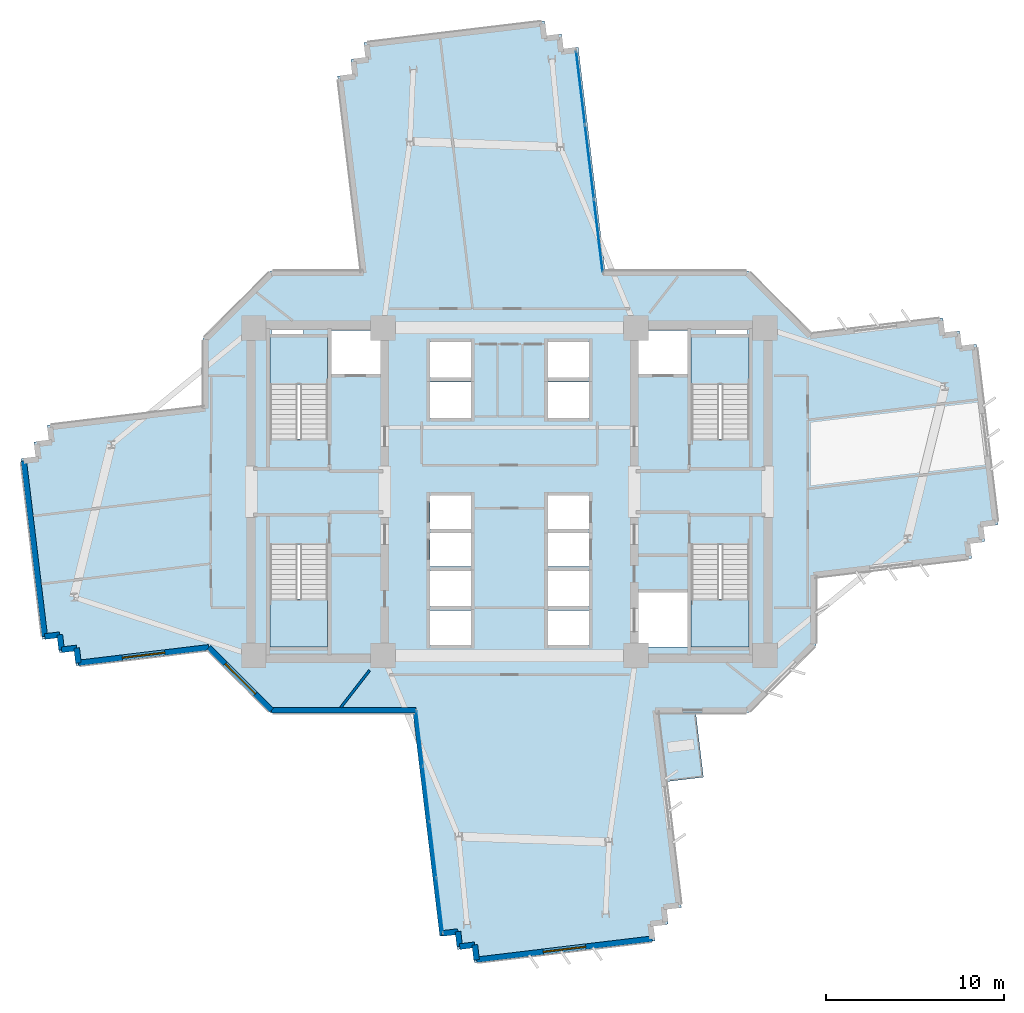
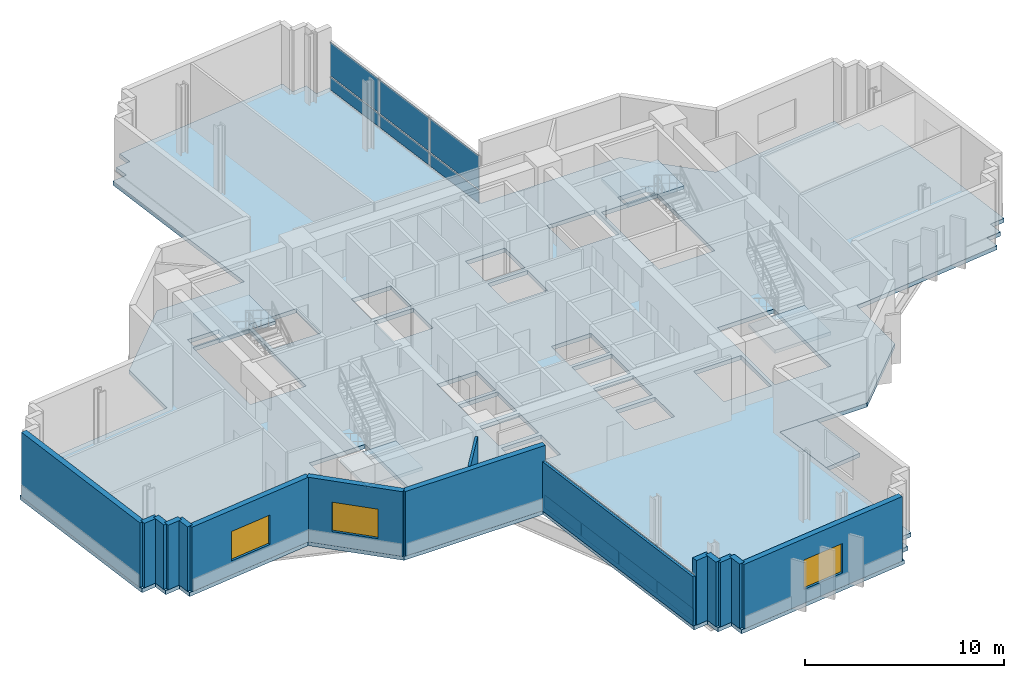
# One storey, part 5 of 15: 15 walls, 14 plates, 6 slabs, 3 windows, 3 openings, 6 elements without a shape of their own.
"""IFC4 building model written with IfcOpenShell, lengths in metres."""

from ifc_helpers import new_model, si_unit, direction, frame, frame_2d, origin, origin_2d, place, context, subcontext, project, spatial, polyline, rectangle, outline, extrude, source, transform, mapped, material, layer, layer_set, type_object, element, fill, aggregate, save


model = new_model("IFC4")

# Units and contexts
model_context = context("Model", 3, precision=1e-05, world=origin(), true_north=direction((0.0, 1.0)))
body_context = subcontext(model_context, "Body", "Model", "MODEL_VIEW")
ifc_project = project(units=[si_unit("LENGTHUNIT", "METRE"), si_unit("AREAUNIT", "SQUARE_METRE"), si_unit("VOLUMEUNIT", "CUBIC_METRE"), si_unit("PLANEANGLEUNIT", "RADIAN"), si_unit("MASSUNIT", "GRAM", prefix="KILO")], contexts=[model_context])

# Site, building, storey
site_placement = place(None, origin())
site = spatial("IfcSite", under=ifc_project, at=site_placement, CompositionType="ELEMENT")
building_placement = place(site_placement, origin())
building = spatial("IfcBuilding", under=site, at=building_placement, Name="Zahravan Cultural Tower", CompositionType="ELEMENT")
storey_placement = place(building_placement, frame((0.0, 0.0, 104.699951171875)))
storey = spatial("IfcBuildingStorey", under=building, at=storey_placement, Name="L23", CompositionType="ELEMENT", Elevation=104.699951171875)

# Stair, slab
ifc_material_1 = material(Name="Concrete C45/55", Category="concrete")
stair_type = type_object("IfcStairType", Name="STR-DL-1550-420", PredefinedType="HALF_TURN_STAIR", material=ifc_material_1)
stair_1_placement = place(storey_placement, origin())
stair_1 = element("IfcStair", 1, at=stair_1_placement, inside=storey, type_object=stair_type, Name="L23 West Core North Exit Stair ST-W1", PredefinedType="HALF_TURN_STAIR")
ifc_layer_1 = layer(ifc_material_1, 0.199951171875)
ifc_layer_set_1 = layer_set([ifc_layer_1], Name="Concrete C45/55")
slab_type_1 = type_object("IfcSlabType", Name="SL-STAIR-LND200", PredefinedType="LANDING", material=ifc_layer_set_1)
slab_1_placement = place(storey_placement, frame((0.0, 0.0, 1.900146484375)))
slab_1 = element("IfcSlab", 2, at=slab_1_placement, type_object=slab_type_1, Name="ST-W1 landing 1", PredefinedType="LANDING", context=body_context, shape_type="SweptSolid", body=[
    extrude(outline(polyline([(25.800048828125, 33.030029296875), (25.800048828125, 35.699951171875), (22.550048828125, 35.699951171875), (22.550048828125, 33.030029296875), (25.800048828125, 33.030029296875)])), origin(), (0.0, 0.0, 1.0), 0.199951171875),
])
aggregate(stair_1, [slab_1])

stair_2_placement = place(storey_placement, origin())
stair_2 = element("IfcStair", 3, at=stair_2_placement, inside=storey, type_object=stair_type, Name="L23 West Core South Exit Stair ST-W2", PredefinedType="HALF_TURN_STAIR")
slab_2_placement = place(storey_placement, frame((0.0, 0.0, 1.900146484375)))
slab_2 = element("IfcSlab", 4, at=slab_2_placement, type_object=slab_type_1, Name="ST-W2 landing 1", PredefinedType="LANDING", context=body_context, shape_type="SweptSolid", body=[
    extrude(outline(polyline([(22.550048828125, 20.969970703125), (22.550048828125, 18.300048828125), (25.800048828125, 18.300048828125), (25.800048828125, 20.969970703125), (22.550048828125, 20.969970703125)])), origin(), (0.0, 0.0, 1.0), 0.199951171875),
])
aggregate(stair_2, [slab_2])

stair_3_placement = place(storey_placement, origin())
stair_3 = element("IfcStair", 5, at=stair_3_placement, inside=storey, type_object=stair_type, Name="L23 East Core North Exit Stair ST-E1", PredefinedType="HALF_TURN_STAIR")
slab_3_placement = place(storey_placement, frame((0.0, 0.0, 1.900146484375)))
slab_3 = element("IfcSlab", 6, at=slab_3_placement, type_object=slab_type_1, Name="ST-E1 landing 1", PredefinedType="LANDING", context=body_context, shape_type="SweptSolid", body=[
    extrude(outline(polyline([(49.449951171875, 33.030029296875), (49.449951171875, 35.699951171875), (46.199951171875, 35.699951171875), (46.199951171875, 33.030029296875), (49.449951171875, 33.030029296875)])), origin(), (0.0, 0.0, 1.0), 0.199951171875),
])
aggregate(stair_3, [slab_3])

stair_4_placement = place(storey_placement, origin())
stair_4 = element("IfcStair", 7, at=stair_4_placement, inside=storey, type_object=stair_type, Name="L23 East Core South Exit Stair ST-E2", PredefinedType="HALF_TURN_STAIR")
slab_4_placement = place(storey_placement, frame((0.0, 0.0, 1.900146484375)))
slab_4 = element("IfcSlab", 8, at=slab_4_placement, type_object=slab_type_1, Name="ST-E2 landing 1", PredefinedType="LANDING", context=body_context, shape_type="SweptSolid", body=[
    extrude(outline(polyline([(46.199951171875, 20.969970703125), (46.199951171875, 18.300048828125), (49.449951171875, 18.300048828125), (49.449951171875, 20.969970703125), (46.199951171875, 20.969970703125)])), origin(), (0.0, 0.0, 1.0), 0.199951171875),
])
aggregate(stair_4, [slab_4])

# Slabs
ifc_material_2 = material(Name="Concrete C40/50", Category="concrete")
ifc_layer_2 = layer(ifc_material_2, 0.239990234375)
ifc_layer_set_2 = layer_set([ifc_layer_2], Name="Concrete C40/50")
slab_type_2 = type_object("IfcSlabType", Name="SL-TERR-240", PredefinedType="FLOOR", material=ifc_layer_set_2)
slab_5_placement = place(storey_placement, frame((0.0, 0.0, -0.239990234375)))
element("IfcSlab", 9, at=slab_5_placement, inside=storey, type_object=slab_type_2, Name="L23 Planted Sculpture Terrace SE", PredefinedType="FLOOR", context=body_context, shape_type="SweptSolid", body=[
    extrude(outline(polyline([(46.885009765625, 10.982421875), (46.451904296875, 14.594970703125), (44.341796875, 14.594970703125), (44.80517578125, 10.73291015625), (46.885009765625, 10.982421875)])), origin(), (0.0, 0.0, 1.0), 0.239990234375),
])
ifc_layer_3 = layer(ifc_material_2, 0.25)
ifc_layer_set_3 = layer_set([ifc_layer_3], Name="Concrete C40/50")
slab_type_3 = type_object("IfcSlabType", Name="SL-TYP-250", PredefinedType="FLOOR", material=ifc_layer_set_3)
slab_6_placement = place(storey_placement, frame((0.0, 0.0, -0.25)))
element("IfcSlab", 10, at=slab_6_placement, inside=storey, type_object=slab_type_3, Name="L23 Structural Floor Slab", PredefinedType="FLOOR", context=body_context, shape_type="SweptSolid", body=[
    extrude(outline(polyline([(52.92138671875, 35.87841796875), (49.39990234375, 39.39990234375), (41.361328125, 39.39990234375), (39.857421875, 51.93701171875), (39.013671875, 51.835693359375), (38.912353515625, 52.6796875), (38.068359375, 52.578369140625), (37.96728515625, 53.42236328125), (27.83984375, 52.20751953125), (27.94091796875, 51.363525390625), (27.09716796875, 51.262451171875), (27.1982421875, 50.41845703125), (26.354248046875, 50.317138671875), (27.663818359375, 39.39990234375), (22.60009765625, 39.39990234375), (18.800048828125, 35.60009765625), (18.800048828125, 31.78564453125), (10.0703125, 30.73828125), (10.17138671875, 29.89453125), (9.327392578125, 29.793212890625), (9.4287109375, 28.94921875), (8.584716796875, 28.84814453125), (9.799560546875, 18.720703125), (10.6435546875, 18.822021484375), (10.74462890625, 17.97802734375), (11.588623046875, 18.0791015625), (11.68994140625, 17.235107421875), (19.07861328125, 18.12158203125), (22.60009765625, 14.60009765625), (30.638671875, 14.60009765625), (32.142578125, 2.06298828125), (32.986328125, 2.164306640625), (33.087646484375, 1.3203125), (33.931640625, 1.421630859375), (34.03271484375, 0.57763671875), (44.16015625, 1.79248046875), (44.05908203125, 2.636474609375), (44.90283203125, 2.737548828125), (44.8017578125, 3.58154296875), (45.645751953125, 3.682861328125), (44.336181640625, 14.60009765625), (49.39990234375, 14.60009765625), (53.199951171875, 18.39990234375), (53.199951171875, 22.21435546875), (61.9296875, 23.26171875), (61.82861328125, 24.10546875), (62.672607421875, 24.206787109375), (62.5712890625, 25.05078125), (63.415283203125, 25.15185546875), (62.200439453125, 35.279296875), (61.3564453125, 35.177978515625), (61.25537109375, 36.02197265625), (60.411376953125, 35.9208984375), (60.31005859375, 36.764892578125), (52.92138671875, 35.87841796875)]), holes=[polyline([(22.550048828125, 29.949951171875), (22.550048828125, 35.699951171875), (25.800048828125, 35.699951171875), (25.800048828125, 29.949951171875), (22.550048828125, 29.949951171875)]), polyline([(22.550048828125, 18.300048828125), (22.550048828125, 24.050048828125), (25.800048828125, 24.050048828125), (25.800048828125, 18.300048828125), (22.550048828125, 18.300048828125)]), polyline([(46.199951171875, 29.949951171875), (46.199951171875, 35.699951171875), (49.449951171875, 35.699951171875), (49.449951171875, 29.949951171875), (46.199951171875, 29.949951171875)]), polyline([(46.199951171875, 18.300048828125), (46.199951171875, 24.050048828125), (49.449951171875, 24.050048828125), (49.449951171875, 18.300048828125), (46.199951171875, 18.300048828125)]), polyline([(26.0, 33.60009765625), (26.0, 36.050048828125), (28.75, 36.050048828125), (28.75, 33.60009765625), (26.0, 33.60009765625)]), polyline([(43.25, 33.60009765625), (43.25, 36.050048828125), (46.0, 36.050048828125), (46.0, 33.60009765625), (43.25, 33.60009765625)]), polyline([(43.25, 18.300048828125), (43.25, 21.35009765625), (46.0, 21.35009765625), (46.0, 18.300048828125), (43.25, 18.300048828125)]), polyline([(31.550048828125, 33.39990234375), (31.550048828125, 35.39990234375), (33.85009765625, 35.39990234375), (33.85009765625, 33.39990234375), (31.550048828125, 33.39990234375)]), polyline([(31.550048828125, 31.14990234375), (31.550048828125, 33.14990234375), (33.85009765625, 33.14990234375), (33.85009765625, 31.14990234375), (31.550048828125, 31.14990234375)]), polyline([(38.14990234375, 33.39990234375), (38.14990234375, 35.39990234375), (40.449951171875, 35.39990234375), (40.449951171875, 33.39990234375), (38.14990234375, 33.39990234375)]), polyline([(38.14990234375, 31.14990234375), (38.14990234375, 33.14990234375), (40.449951171875, 33.14990234375), (40.449951171875, 31.14990234375), (38.14990234375, 31.14990234375)]), polyline([(31.550048828125, 20.60009765625), (31.550048828125, 22.550048828125), (33.85009765625, 22.550048828125), (33.85009765625, 20.60009765625), (31.550048828125, 20.60009765625)]), polyline([(31.550048828125, 18.39990234375), (31.550048828125, 20.35009765625), (33.85009765625, 20.35009765625), (33.85009765625, 18.39990234375), (31.550048828125, 18.39990234375)]), polyline([(38.14990234375, 20.60009765625), (38.14990234375, 22.550048828125), (40.449951171875, 22.550048828125), (40.449951171875, 20.60009765625), (38.14990234375, 20.60009765625)]), polyline([(38.14990234375, 18.39990234375), (38.14990234375, 20.35009765625), (40.449951171875, 20.35009765625), (40.449951171875, 18.39990234375), (38.14990234375, 18.39990234375)]), polyline([(31.550048828125, 24.89990234375), (31.550048828125, 26.800048828125), (33.85009765625, 26.800048828125), (33.85009765625, 24.89990234375), (31.550048828125, 24.89990234375)]), polyline([(31.550048828125, 22.800048828125), (31.550048828125, 24.699951171875), (33.85009765625, 24.699951171875), (33.85009765625, 22.800048828125), (31.550048828125, 22.800048828125)]), polyline([(38.14990234375, 24.89990234375), (38.14990234375, 26.800048828125), (40.449951171875, 26.800048828125), (40.449951171875, 24.89990234375), (38.14990234375, 24.89990234375)]), polyline([(38.14990234375, 22.800048828125), (38.14990234375, 24.699951171875), (40.449951171875, 24.699951171875), (40.449951171875, 22.800048828125), (38.14990234375, 22.800048828125)]), polyline([(22.64990234375, 35.800048828125), (22.64990234375, 36.419921875), (24.449951171875, 36.419921875), (24.449951171875, 35.800048828125), (22.64990234375, 35.800048828125)]), polyline([(47.550048828125, 35.800048828125), (47.550048828125, 36.419921875), (49.35009765625, 36.419921875), (49.35009765625, 35.800048828125), (47.550048828125, 35.800048828125)])]), origin(), (0.0, 0.0, 1.0), 0.25),
])

# Curtain wall, plates
ifc_material_3 = material(Name="Anodised bronze-aluminium mullion", Category="aluminium")
ifc_layer_4 = layer(ifc_material_3, 0.1650390625)
ifc_layer_set_4 = layer_set([ifc_layer_4], Name="Anodised bronze-aluminium mullion")
curtain_wall_type_1 = type_object("IfcCurtainWallType", Name="CW-SYS-4", PredefinedType="USERDEFINED", material=ifc_layer_set_4)
curtain_wall_1_placement = place(storey_placement, origin())
curtain_wall_1 = element("IfcCurtainWall", 11, at=curtain_wall_1_placement, inside=storey, type_object=curtain_wall_type_1, Name="L23 Recessed Curtain Wall CW-4.1", ObjectType="RECESSED GLAZING", PredefinedType="USERDEFINED")
ifc_material_4 = material(Name="Low-E solar-control double glazing", Category="glass")
ifc_layer_5 = layer(ifc_material_4, 0.02587890625)
ifc_layer_set_5 = layer_set([ifc_layer_5], Name="Low-E solar-control double glazing")
plate_type_1 = type_object("IfcPlateType", Name="CWP-CW-4", PredefinedType="CURTAIN_PANEL", material=ifc_layer_set_5)
shared_shape_1 = source(origin(), body_context, "Body", "SweptSolid", [
    extrude(rectangle(XDim=3.05517578125, YDim=0.02587890625, at=origin_2d()), origin(), (0.0, 0.0, 1.0), 0.802490234375),
])
plate_1_placement = place(storey_placement, frame((32.0751953125, 3.800048828125, 0.06494140625), z_axis=(0.0, 0.0, 1.0), x_axis=(-0.11909487867, 0.992882878226, 0.0)))
plate_1 = element("IfcPlate", 12, at=plate_1_placement, type_object=plate_type_1, Name="CW-4 panel 1.1", PredefinedType="CURTAIN_PANEL", context=body_context, shape_type="MappedRepresentation", body=[
    mapped(shared_shape_1, transform((0.0, 0.0, 0.0), x_axis=(1.0, 0.0, 0.0), y_axis=(0.0, 1.0, 0.0), z_axis=(0.0, 0.0, 1.0), scale=1.0)),
])
plate_2_placement = place(storey_placement, frame((30.95263671875, 13.15869140625, 0.06494140625), z_axis=(0.0, 0.0, 1.0), x_axis=(-0.11909487867, 0.992882878226, 0.0)))
plate_2 = element("IfcPlate", 13, at=plate_2_placement, type_object=plate_type_1, Name="CW-4 panel 4.1", PredefinedType="CURTAIN_PANEL", context=body_context, shape_type="MappedRepresentation", body=[
    mapped(shared_shape_1, transform((0.0, 0.0, 0.0), x_axis=(1.0, 0.0, 0.0), y_axis=(0.0, 1.0, 0.0), z_axis=(0.0, 0.0, 1.0), scale=1.0)),
])
shared_shape_2 = source(origin(), body_context, "Body", "SweptSolid", [
    extrude(rectangle(XDim=3.05517578125, YDim=0.02587890625, at=origin_2d()), origin(), (0.0, 0.0, 1.0), 2.072509765625),
])
plate_3_placement = place(storey_placement, frame((32.0751953125, 3.800048828125, 0.9326171875), z_axis=(0.0, 0.0, 1.0), x_axis=(-0.11909487867, 0.992882878226, 0.0)))
plate_3 = element("IfcPlate", 14, at=plate_3_placement, type_object=plate_type_1, Name="CW-4 panel 1.2", PredefinedType="CURTAIN_PANEL", context=body_context, shape_type="MappedRepresentation", body=[
    mapped(shared_shape_2, transform((0.0, 0.0, 0.0), x_axis=(1.0, 0.0, 0.0), y_axis=(0.0, 1.0, 0.0), z_axis=(0.0, 0.0, 1.0), scale=1.0)),
])
plate_4_placement = place(storey_placement, frame((30.95263671875, 13.15869140625, 0.9326171875), z_axis=(0.0, 0.0, 1.0), x_axis=(-0.11909487867, 0.992882878226, 0.0)))
plate_4 = element("IfcPlate", 15, at=plate_4_placement, type_object=plate_type_1, Name="CW-4 panel 4.2", PredefinedType="CURTAIN_PANEL", context=body_context, shape_type="MappedRepresentation", body=[
    mapped(shared_shape_2, transform((0.0, 0.0, 0.0), x_axis=(1.0, 0.0, 0.0), y_axis=(0.0, 1.0, 0.0), z_axis=(0.0, 0.0, 1.0), scale=1.0)),
])
shared_shape_3 = source(origin(), body_context, "Body", "SweptSolid", [
    extrude(rectangle(XDim=3.087646484375, YDim=0.02587890625, at=origin_2d()), origin(), (0.0, 0.0, 1.0), 0.802490234375),
])
plate_5_placement = place(storey_placement, frame((31.70166015625, 6.914306640625, 0.06494140625), z_axis=(0.0, 0.0, 1.0), x_axis=(-0.11909487867, 0.992882878226, 0.0)))
plate_5 = element("IfcPlate", 16, at=plate_5_placement, type_object=plate_type_1, Name="CW-4 panel 2.1", PredefinedType="CURTAIN_PANEL", context=body_context, shape_type="MappedRepresentation", body=[
    mapped(shared_shape_3, transform((0.0, 0.0, 0.0), x_axis=(1.0, 0.0, 0.0), y_axis=(0.0, 1.0, 0.0), z_axis=(0.0, 0.0, 1.0), scale=1.0)),
])
plate_6_placement = place(storey_placement, frame((31.326171875, 10.04443359375, 0.06494140625), z_axis=(0.0, 0.0, 1.0), x_axis=(-0.11909487867, 0.992882878226, 0.0)))
plate_6 = element("IfcPlate", 17, at=plate_6_placement, type_object=plate_type_1, Name="CW-4 panel 3.1", PredefinedType="CURTAIN_PANEL", context=body_context, shape_type="MappedRepresentation", body=[
    mapped(shared_shape_3, transform((0.0, 0.0, 0.0), x_axis=(1.0, 0.0, 0.0), y_axis=(0.0, 1.0, 0.0), z_axis=(0.0, 0.0, 1.0), scale=1.0)),
])
shared_shape_4 = source(origin(), body_context, "Body", "SweptSolid", [
    extrude(rectangle(XDim=3.087646484375, YDim=0.02587890625, at=origin_2d()), origin(), (0.0, 0.0, 1.0), 2.072509765625),
])
plate_7_placement = place(storey_placement, frame((31.70166015625, 6.914306640625, 0.9326171875), z_axis=(0.0, 0.0, 1.0), x_axis=(-0.11909487867, 0.992882878226, 0.0)))
plate_7 = element("IfcPlate", 18, at=plate_7_placement, type_object=plate_type_1, Name="CW-4 panel 2.2", PredefinedType="CURTAIN_PANEL", context=body_context, shape_type="MappedRepresentation", body=[
    mapped(shared_shape_4, transform((0.0, 0.0, 0.0), x_axis=(1.0, 0.0, 0.0), y_axis=(0.0, 1.0, 0.0), z_axis=(0.0, 0.0, 1.0), scale=1.0)),
])
plate_8_placement = place(storey_placement, frame((31.326171875, 10.04443359375, 0.9326171875), z_axis=(0.0, 0.0, 1.0), x_axis=(-0.11909487867, 0.992882878226, 0.0)))
plate_8 = element("IfcPlate", 19, at=plate_8_placement, type_object=plate_type_1, Name="CW-4 panel 3.2", PredefinedType="CURTAIN_PANEL", context=body_context, shape_type="MappedRepresentation", body=[
    mapped(shared_shape_4, transform((0.0, 0.0, 0.0), x_axis=(1.0, 0.0, 0.0), y_axis=(0.0, 1.0, 0.0), z_axis=(0.0, 0.0, 1.0), scale=1.0)),
])
aggregate(curtain_wall_1, [plate_1, plate_3, plate_5, plate_7, plate_6, plate_8, plate_2, plate_4])

ifc_layer_6 = layer(ifc_material_3, 0.219970703125)
ifc_layer_set_6 = layer_set([ifc_layer_6], Name="Anodised bronze-aluminium mullion")
curtain_wall_type_2 = type_object("IfcCurtainWallType", Name="CW-SYS-1", PredefinedType="USERDEFINED", material=ifc_layer_set_6)
curtain_wall_2_placement = place(storey_placement, origin())
curtain_wall_2 = element("IfcCurtainWall", 20, at=curtain_wall_2_placement, inside=storey, type_object=curtain_wall_type_2, Name="L23 Recessed Curtain Wall CW-1.2", ObjectType="RECESSED GLAZING", PredefinedType="USERDEFINED")
ifc_layer_7 = layer(ifc_material_4, 0.031982421875)
ifc_layer_set_7 = layer_set([ifc_layer_7], Name="Low-E solar-control double glazing")
plate_type_2 = type_object("IfcPlateType", Name="CWP-CW-1", PredefinedType="CURTAIN_PANEL", material=ifc_layer_set_7)
shared_shape_5 = source(origin(), body_context, "Body", "SweptSolid", [
    extrude(rectangle(XDim=4.083740234375, YDim=0.031982421875, at=origin_2d()), origin(), (0.0, 0.0, 1.0), 0.780029296875),
])
plate_9_placement = place(storey_placement, frame((39.98779296875, 49.674560546875, 0.080078125), z_axis=(0.0, 0.0, 1.0), x_axis=(0.11909487867, -0.992882878226, 0.0)))
plate_9 = element("IfcPlate", 21, at=plate_9_placement, type_object=plate_type_2, Name="CW-1 panel 1.1", PredefinedType="CURTAIN_PANEL", context=body_context, shape_type="MappedRepresentation", body=[
    mapped(shared_shape_5, transform((0.0, 0.0, 0.0), x_axis=(1.0, 0.0, 0.0), y_axis=(0.0, 1.0, 0.0), z_axis=(0.0, 0.0, 1.0), scale=1.0)),
])
plate_10_placement = place(storey_placement, frame((40.984375, 41.36669921875, 0.080078125), z_axis=(0.0, 0.0, 1.0), x_axis=(0.11909487867, -0.992882878226, 0.0)))
plate_10 = element("IfcPlate", 22, at=plate_10_placement, type_object=plate_type_2, Name="CW-1 panel 3.1", PredefinedType="CURTAIN_PANEL", context=body_context, shape_type="MappedRepresentation", body=[
    mapped(shared_shape_5, transform((0.0, 0.0, 0.0), x_axis=(1.0, 0.0, 0.0), y_axis=(0.0, 1.0, 0.0), z_axis=(0.0, 0.0, 1.0), scale=1.0)),
])
shared_shape_6 = source(origin(), body_context, "Body", "SweptSolid", [
    extrude(rectangle(XDim=4.083740234375, YDim=0.031982421875, at=origin_2d()), origin(), (0.0, 0.0, 1.0), 2.050048828125),
])
plate_11_placement = place(storey_placement, frame((39.98779296875, 49.674560546875, 0.93994140625), z_axis=(0.0, 0.0, 1.0), x_axis=(0.11909487867, -0.992882878226, 0.0)))
plate_11 = element("IfcPlate", 23, at=plate_11_placement, type_object=plate_type_2, Name="CW-1 panel 1.2", PredefinedType="CURTAIN_PANEL", context=body_context, shape_type="MappedRepresentation", body=[
    mapped(shared_shape_6, transform((0.0, 0.0, 0.0), x_axis=(1.0, 0.0, 0.0), y_axis=(0.0, 1.0, 0.0), z_axis=(0.0, 0.0, 1.0), scale=1.0)),
])
plate_12_placement = place(storey_placement, frame((40.984375, 41.36669921875, 0.93994140625), z_axis=(0.0, 0.0, 1.0), x_axis=(0.11909487867, -0.992882878226, 0.0)))
plate_12 = element("IfcPlate", 24, at=plate_12_placement, type_object=plate_type_2, Name="CW-1 panel 3.2", PredefinedType="CURTAIN_PANEL", context=body_context, shape_type="MappedRepresentation", body=[
    mapped(shared_shape_6, transform((0.0, 0.0, 0.0), x_axis=(1.0, 0.0, 0.0), y_axis=(0.0, 1.0, 0.0), z_axis=(0.0, 0.0, 1.0), scale=1.0)),
])
shared_shape_7 = source(origin(), body_context, "Body", "SweptSolid", [
    extrude(rectangle(XDim=4.12353515625, YDim=0.031982421875, at=origin_2d()), origin(), (0.0, 0.0, 1.0), 0.780029296875),
])
plate_13_placement = place(storey_placement, frame((40.486083984375, 45.5205078125, 0.080078125), z_axis=(0.0, 0.0, 1.0), x_axis=(0.11909487867, -0.992882878226, 0.0)))
plate_13 = element("IfcPlate", 25, at=plate_13_placement, type_object=plate_type_2, Name="CW-1 panel 2.1", PredefinedType="CURTAIN_PANEL", context=body_context, shape_type="MappedRepresentation", body=[
    mapped(shared_shape_7, transform((0.0, 0.0, 0.0), x_axis=(1.0, 0.0, 0.0), y_axis=(0.0, 1.0, 0.0), z_axis=(0.0, 0.0, 1.0), scale=1.0)),
])
shared_shape_8 = source(origin(), body_context, "Body", "SweptSolid", [
    extrude(rectangle(XDim=4.12353515625, YDim=0.031982421875, at=origin_2d()), origin(), (0.0, 0.0, 1.0), 2.050048828125),
])
plate_14_placement = place(storey_placement, frame((40.486083984375, 45.5205078125, 0.93994140625), z_axis=(0.0, 0.0, 1.0), x_axis=(0.11909487867, -0.992882878226, 0.0)))
plate_14 = element("IfcPlate", 26, at=plate_14_placement, type_object=plate_type_2, Name="CW-1 panel 2.2", PredefinedType="CURTAIN_PANEL", context=body_context, shape_type="MappedRepresentation", body=[
    mapped(shared_shape_8, transform((0.0, 0.0, 0.0), x_axis=(1.0, 0.0, 0.0), y_axis=(0.0, 1.0, 0.0), z_axis=(0.0, 0.0, 1.0), scale=1.0)),
])
aggregate(curtain_wall_2, [plate_9, plate_11, plate_13, plate_14, plate_10, plate_12])

# Wall, opening, window
ifc_material_5 = material(Name="Precast concrete C40/50", Category="concrete")
ifc_layer_8 = layer(ifc_material_5, 0.320068359375)
ifc_layer_set_8 = layer_set([ifc_layer_8], Name="Precast concrete C40/50")
wall_type_1 = type_object("IfcWallType", Name="EW-TC-320", PredefinedType="SOLIDWALL", material=ifc_layer_set_8)
wall_1_placement = place(storey_placement, frame((44.00439453125, 1.914794921875, 0.0), z_axis=(0.0, 0.0, 1.0), x_axis=(-0.992883125729, -0.119092815244, 0.0)))
wall_1 = element("IfcWall", 27, at=wall_1_placement, inside=storey, type_object=wall_type_1, Name="L23 Exterior Masonry Frame Wall 20", PredefinedType="SOLIDWALL", context=body_context, shape_type="SweptSolid", body=[
    extrude(rectangle(XDim=9.919921875, YDim=0.320068359375, at=frame_2d((4.9599609375, 0.0))), origin(), (0.0, 0.0, 1.0), 3.949951171875),
])
opening_1_placement = place(wall_1_placement, frame((3.760009765625, 0.0, 0.85009765625)))
opening_1 = element("IfcOpeningElement", 28, at=opening_1_placement, cuts=wall_1, Name="Opening WN-01", PredefinedType="OPENING", context=body_context, shape_type="SweptSolid", body=[
    extrude(rectangle(XDim=2.39990234375, YDim=1.800048828125, at=frame_2d((1.199951171875, 0.89990234375))), frame((0.0, 0.169921875, 0.0), z_axis=(0.0, -1.0, 0.0), x_axis=(1.0, 0.0, 0.0)), (0.0, 0.0, 1.0), 0.340087890625),
])
window_type = type_object("IfcWindowType", Name="WN-REC-2400X1800", PartitioningType="DOUBLE_PANEL_VERTICAL", PredefinedType="WINDOW", material=ifc_material_4)
shared_shape_9 = source(origin(), body_context, "Body", "SweptSolid", [
    extrude(rectangle(XDim=2.39990234375, YDim=1.800048828125, at=frame_2d((1.199951171875, 0.89990234375))), frame((0.0, 0.030029296875, 0.0), z_axis=(0.0, -1.0, 0.0), x_axis=(1.0, 0.0, 0.0)), (0.0, 0.0, 1.0), 0.06005859375),
])
window_1_placement = place(opening_1_placement, origin())
window_1 = element("IfcWindow", 29, at=window_1_placement, inside=storey, type_object=window_type, Name="L23 Recessed Solar Window 06", OverallHeight=1.800048828125, OverallWidth=2.39990234375, PartitioningType="DOUBLE_PANEL_VERTICAL", PredefinedType="WINDOW", context=body_context, shape_type="MappedRepresentation", body=[
    mapped(shared_shape_9, transform((0.0, 0.0, 0.0), x_axis=(1.0, 0.0, 0.0), y_axis=(0.0, 1.0, 0.0), z_axis=(0.0, 0.0, 1.0), scale=1.0)),
])
fill(opening_1, window_1)

wall_2_placement = place(storey_placement, frame((22.657958984375, 14.739990234375, 0.0), z_axis=(0.0, 0.0, 1.0), x_axis=(-0.707106781187, 0.707106781187, 0.0)))
wall_2 = element("IfcWall", 30, at=wall_2_placement, inside=storey, type_object=wall_type_1, Name="L23 Exterior Masonry Frame Wall 26", PredefinedType="SOLIDWALL", context=body_context, shape_type="SweptSolid", body=[
    extrude(rectangle(XDim=4.990234375, YDim=0.320068359375, at=frame_2d((2.4951171875, 0.0))), origin(), (0.0, 0.0, 1.0), 3.949951171875),
])
opening_2_placement = place(wall_2_placement, frame((1.294921875, 0.0, 0.85009765625)))
opening_2 = element("IfcOpeningElement", 31, at=opening_2_placement, cuts=wall_2, Name="Opening WN-01", PredefinedType="OPENING", context=body_context, shape_type="SweptSolid", body=[
    extrude(rectangle(XDim=2.39990234375, YDim=1.800048828125, at=frame_2d((1.199951171875, 0.89990234375))), frame((0.0, 0.169921875, 0.0), z_axis=(0.0, -1.0, 0.0), x_axis=(1.0, 0.0, 0.0)), (0.0, 0.0, 1.0), 0.340087890625),
])
window_2_placement = place(opening_2_placement, origin())
window_2 = element("IfcWindow", 32, at=window_2_placement, inside=storey, type_object=window_type, Name="L23 Recessed Solar Window 07", OverallHeight=1.800048828125, OverallWidth=2.39990234375, PartitioningType="DOUBLE_PANEL_VERTICAL", PredefinedType="WINDOW", context=body_context, shape_type="MappedRepresentation", body=[
    mapped(shared_shape_9, transform((0.0, 0.0, 0.0), x_axis=(1.0, 0.0, 0.0), y_axis=(0.0, 1.0, 0.0), z_axis=(0.0, 0.0, 1.0), scale=1.0)),
])
fill(opening_2, window_2)

wall_3_placement = place(storey_placement, frame((19.12939453125, 18.2685546875, 0.0), z_axis=(0.0, 0.0, 1.0), x_axis=(-0.992882794037, -0.119095580547, 0.0)))
wall_3 = element("IfcWall", 33, at=wall_3_placement, inside=storey, type_object=wall_type_1, Name="L23 Exterior Masonry Frame Wall 27", PredefinedType="SOLIDWALL", context=body_context, shape_type="SweptSolid", body=[
    extrude(rectangle(XDim=7.36962890625, YDim=0.320068359375, at=frame_2d((3.684814453125, 0.0))), origin(), (0.0, 0.0, 1.0), 3.949951171875),
])
opening_3_placement = place(wall_3_placement, frame((2.485107421875, 0.0, 0.85009765625)))
opening_3 = element("IfcOpeningElement", 34, at=opening_3_placement, cuts=wall_3, Name="Opening WN-01", PredefinedType="OPENING", context=body_context, shape_type="SweptSolid", body=[
    extrude(rectangle(XDim=2.39990234375, YDim=1.800048828125, at=frame_2d((1.199951171875, 0.89990234375))), frame((0.0, 0.169921875, 0.0), z_axis=(0.0, -1.0, 0.0), x_axis=(1.0, 0.0, 0.0)), (0.0, 0.0, 1.0), 0.340087890625),
])
window_3_placement = place(opening_3_placement, origin())
window_3 = element("IfcWindow", 35, at=window_3_placement, inside=storey, type_object=window_type, Name="L23 Recessed Solar Window 08", OverallHeight=1.800048828125, OverallWidth=2.39990234375, PartitioningType="DOUBLE_PANEL_VERTICAL", PredefinedType="WINDOW", context=body_context, shape_type="MappedRepresentation", body=[
    mapped(shared_shape_9, transform((0.0, 0.0, 0.0), x_axis=(1.0, 0.0, 0.0), y_axis=(0.0, 1.0, 0.0), z_axis=(0.0, 0.0, 1.0), scale=1.0)),
])
fill(opening_3, window_3)

# Walls
shared_shape_10 = source(origin(), body_context, "Body", "SweptSolid", [
    extrude(rectangle(XDim=0.849853515625, YDim=0.320068359375, at=frame_2d((0.4248046875, 0.0))), origin(), (0.0, 0.0, 1.0), 3.949951171875),
])
for number, where, z_axis, x_axis, name in (
    (36, (33.108642578125, 2.320068359375, 0.0), (0.0, 0.0, 1.0), (-0.992867319472, -0.119224518976, 0.0), "L23 Exterior Masonry Frame Wall 24"),
    (37, (10.866943359375, 18.1337890625, 0.0), (0.0, 0.0, 1.0), (-0.11894130009, 0.992901287708, 0.0), "L23 Exterior Masonry Frame Wall 30"),
):
    element("IfcWall", number, at=place(storey_placement, frame(where, z_axis=z_axis, x_axis=x_axis)), inside=storey, type_object=wall_type_1, Name=name, PredefinedType="SOLIDWALL", context=body_context, shape_type="MappedRepresentation", body=[
        mapped(shared_shape_10, transform((0.0, 0.0, 0.0), x_axis=(1.0, 0.0, 0.0), y_axis=(0.0, 1.0, 0.0), z_axis=(0.0, 0.0, 1.0), scale=1.0)),
    ])
shared_shape_11 = source(origin(), body_context, "Body", "SweptSolid", [
    extrude(rectangle(XDim=0.85009765625, YDim=0.320068359375, at=frame_2d((0.425048828125, 0.0))), origin(), (0.0, 0.0, 1.0), 3.949951171875),
])
for number, where, z_axis, x_axis, name in (
    (38, (34.155029296875, 0.7333984375, 0.0), (0.0, 0.0, 1.0), (-0.118907380694, 0.992905350382, 0.0), "L23 Exterior Masonry Frame Wall 21"),
    (39, (34.053955078125, 1.577392578125, 0.0), (0.0, 0.0, 1.0), (-0.992871401376, -0.119190521137, 0.0), "L23 Exterior Masonry Frame Wall 22"),
    (40, (33.2099609375, 1.47607421875, 0.0), (0.0, 0.0, 1.0), (-0.119190521137, 0.992871401376, 0.0), "L23 Exterior Masonry Frame Wall 23"),
    (41, (11.812255859375, 17.390869140625, 0.0), (0.0, 0.0, 1.0), (-0.119190521137, 0.992871401376, 0.0), "L23 Exterior Masonry Frame Wall 28"),
    (42, (11.7109375, 18.23486328125, 0.0), (0.0, 0.0, 1.0), (-0.992905350382, -0.118907380694, 0.0), "L23 Exterior Masonry Frame Wall 29"),
    (43, (10.765869140625, 18.9775390625, 0.0), (0.0, 0.0, 1.0), (-0.992905350382, -0.118907380694, 0.0), "L23 Exterior Masonry Frame Wall 31"),
):
    element("IfcWall", number, at=place(storey_placement, frame(where, z_axis=z_axis, x_axis=x_axis)), inside=storey, type_object=wall_type_1, Name=name, PredefinedType="SOLIDWALL", context=body_context, shape_type="MappedRepresentation", body=[
        mapped(shared_shape_11, transform((0.0, 0.0, 0.0), x_axis=(1.0, 0.0, 0.0), y_axis=(0.0, 1.0, 0.0), z_axis=(0.0, 0.0, 1.0), scale=1.0)),
    ])
shared_shape_12 = source(origin(), body_context, "Body", "SweptSolid", [
    extrude(rectangle(XDim=9.919921875, YDim=0.320068359375, at=frame_2d((4.9599609375, 0.0))), origin(), (0.0, 0.0, 1.0), 3.949951171875),
])
wall_4_placement = place(storey_placement, frame((9.921875, 18.87646484375, 0.0), z_axis=(0.0, 0.0, 1.0), x_axis=(-0.119092815244, 0.992883125729, 0.0)))
element("IfcWall", 44, at=wall_4_placement, inside=storey, type_object=wall_type_1, Name="L23 Exterior Masonry Frame Wall 32", PredefinedType="SOLIDWALL", context=body_context, shape_type="MappedRepresentation", body=[
    mapped(shared_shape_12, transform((0.0, 0.0, 0.0), x_axis=(1.0, 0.0, 0.0), y_axis=(0.0, 1.0, 0.0), z_axis=(0.0, 0.0, 1.0), scale=1.0)),
])
shared_shape_13 = source(origin(), body_context, "Body", "SweptSolid", [
    extrude(rectangle(XDim=8.10498046875, YDim=0.320068359375, at=frame_2d((4.052490234375, 0.0))), origin(), (0.0, 0.0, 1.0), 3.949951171875),
])
wall_5_placement = place(storey_placement, frame((30.762939453125, 14.739990234375, 0.0), z_axis=(0.0, 0.0, 1.0), x_axis=(-1.0, 0.0, 0.0)))
element("IfcWall", 45, at=wall_5_placement, inside=storey, type_object=wall_type_1, Name="L23 Exterior Masonry Frame Wall 25", PredefinedType="SOLIDWALL", context=body_context, shape_type="MappedRepresentation", body=[
    mapped(shared_shape_13, transform((0.0, 0.0, 0.0), x_axis=(1.0, 0.0, 0.0), y_axis=(0.0, 1.0, 0.0), z_axis=(0.0, 0.0, 1.0), scale=1.0)),
])
ifc_material_6 = material(Name="Gypsum plasterboard partition")
ifc_layer_9 = layer(ifc_material_6, 0.139892578125)
ifc_layer_set_9 = layer_set([ifc_layer_9], Name="Gypsum plasterboard partition")
wall_type_2 = type_object("IfcWallType", Name="W-PART-140", PredefinedType="PARTITIONING", material=ifc_layer_set_9)
shared_shape_14 = source(origin(), body_context, "Body", "SweptSolid", [
    extrude(rectangle(XDim=2.62939453125, YDim=0.139892578125, at=frame_2d((1.314697265625, 0.0))), origin(), (0.0, 0.0, 1.0), 3.949951171875),
])
wall_6_placement = place(storey_placement, frame((28.15380859375, 16.97998046875, 0.0), z_axis=(0.0, 0.0, 1.0), x_axis=(-0.614210560268, -0.789142184689, 0.0)))
element("IfcWall", 46, at=wall_6_placement, inside=storey, type_object=wall_type_2, Name="L23 Interior Wall 095", PredefinedType="PARTITIONING", context=body_context, shape_type="MappedRepresentation", body=[
    mapped(shared_shape_14, transform((0.0, 0.0, 0.0), x_axis=(1.0, 0.0, 0.0), y_axis=(0.0, 1.0, 0.0), z_axis=(0.0, 0.0, 1.0), scale=1.0)),
])
shared_shape_15 = source(origin(), body_context, "Body", "SweptSolid", [
    extrude(rectangle(XDim=12.579345703125, YDim=0.139892578125, at=frame_2d((6.28955078125, 0.0))), origin(), (0.0, 0.0, 1.0), 3.010009765625),
])
wall_7_placement = place(storey_placement, frame((32.159912109375, 2.08544921875, 0.0), z_axis=(0.0, 0.0, 1.0), x_axis=(-0.119358735645, 0.992851193395, 0.0)))
element("IfcWall", 47, at=wall_7_placement, inside=storey, type_object=wall_type_2, Name="L23 Interior Wall 101", PredefinedType="PARTITIONING", context=body_context, shape_type="MappedRepresentation", body=[
    mapped(shared_shape_15, transform((0.0, 0.0, 0.0), x_axis=(1.0, 0.0, 0.0), y_axis=(0.0, 1.0, 0.0), z_axis=(0.0, 0.0, 1.0), scale=1.0)),
])

save(model, "model.ifc")
